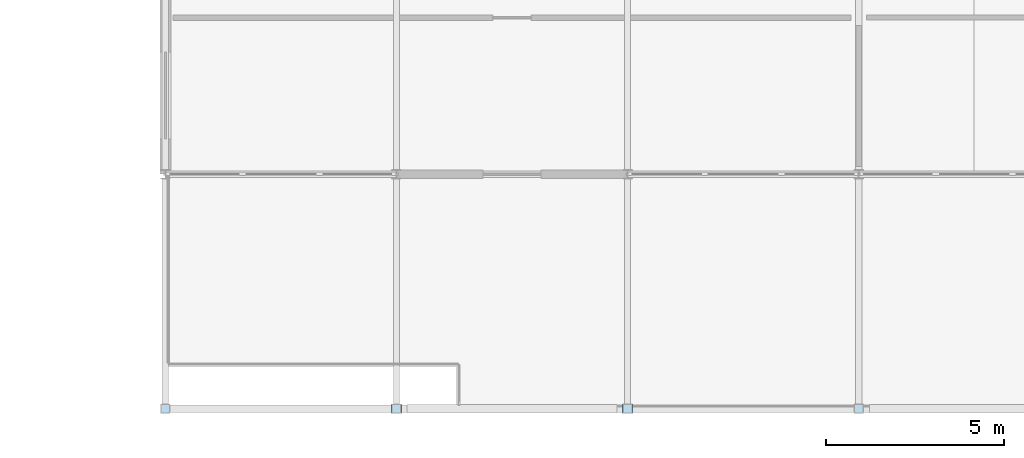
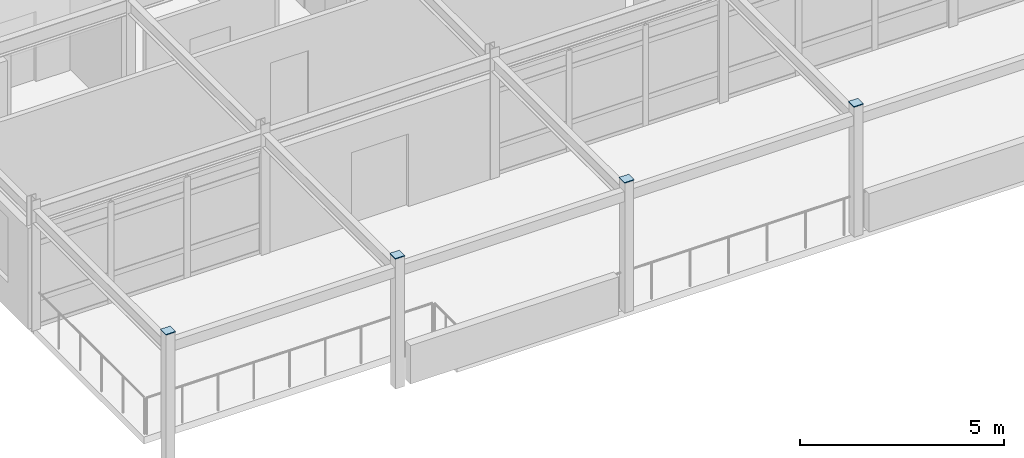
# One storey, part 13 of 20: 4 plates.
"""IFC4 building model written with IfcOpenShell, lengths in metres."""

from ifc_helpers import new_model, si_unit, direction, frame, origin, origin_2d, place, context, subcontext, project, spatial, rectangle, extrude, material, layer, layer_set, type_object, element, save


model = new_model("IFC4")

# Units and contexts
model_context = context("Model", 3, precision=1e-05, world=origin(), true_north=direction((0.0, 1.0)))
body_context = subcontext(model_context, "Body", "Model", "MODEL_VIEW")
ifc_project = project(units=[si_unit("LENGTHUNIT", "METRE"), si_unit("AREAUNIT", "SQUARE_METRE"), si_unit("VOLUMEUNIT", "CUBIC_METRE"), si_unit("PLANEANGLEUNIT", "RADIAN"), si_unit("MASSUNIT", "GRAM", prefix="KILO")], contexts=[model_context])

# Site, building, storey
site_placement = place(None, origin())
site = spatial("IfcSite", under=ifc_project, at=site_placement, CompositionType="ELEMENT")
building_placement = place(site_placement, origin())
building = spatial("IfcBuilding", under=site, at=building_placement, Name="Trelmorton Wharf Fire Station", CompositionType="ELEMENT")
storey_placement = place(building_placement, frame((0.0, 0.0, 21.300048828125)))
storey = spatial("IfcBuildingStorey", under=building, at=storey_placement, Name="L05", CompositionType="ELEMENT", Elevation=21.300048828125)

# Plates
ifc_material = material(Name="Steel Grade 350", Category="steel")
ifc_layer = layer(ifc_material, 0.02001953125)
ifc_layer_set = layer_set([ifc_layer], Name="Steel Grade 350")
plate_type = type_object("IfcPlateType", Name="PL_ENDCAP_20", PredefinedType="SHEET", material=ifc_layer_set)
for number, where, z_axis, x_axis, name in (
    (1, (110.5, 7.800048828125, 3.89794921875), (0.0, 0.0, 1.0), (1.0, 0.0, 0.0), "PL-COLCAP-T-0762"),
    (2, (117.0, 7.800048828125, 3.89794921875), (0.0, 0.0, 1.0), (1.0, 0.0, 0.0), "PL-COLCAP-T-0766"),
    (3, (123.5, 7.800048828125, 3.89794921875), (0.0, 0.0, 1.0), (1.0, 0.0, 0.0), "PL-COLCAP-T-0770"),
    (4, (130.0, 7.800048828125, 3.89794921875), (0.0, 0.0, 1.0), (1.0, 0.0, 0.0), "PL-COLCAP-T-0774"),
):
    element("IfcPlate", number, at=place(storey_placement, frame(where, z_axis=z_axis, x_axis=x_axis)), inside=storey, type_object=plate_type, Name=name, PredefinedType="SHEET", context=body_context, shape_type="SweptSolid", body=[
        extrude(rectangle(XDim=0.27001953125, YDim=0.27001953125, at=origin_2d()), origin(), (0.0, 0.0, 1.0), 0.02392578125),
    ])

save(model, "model.ifc")
